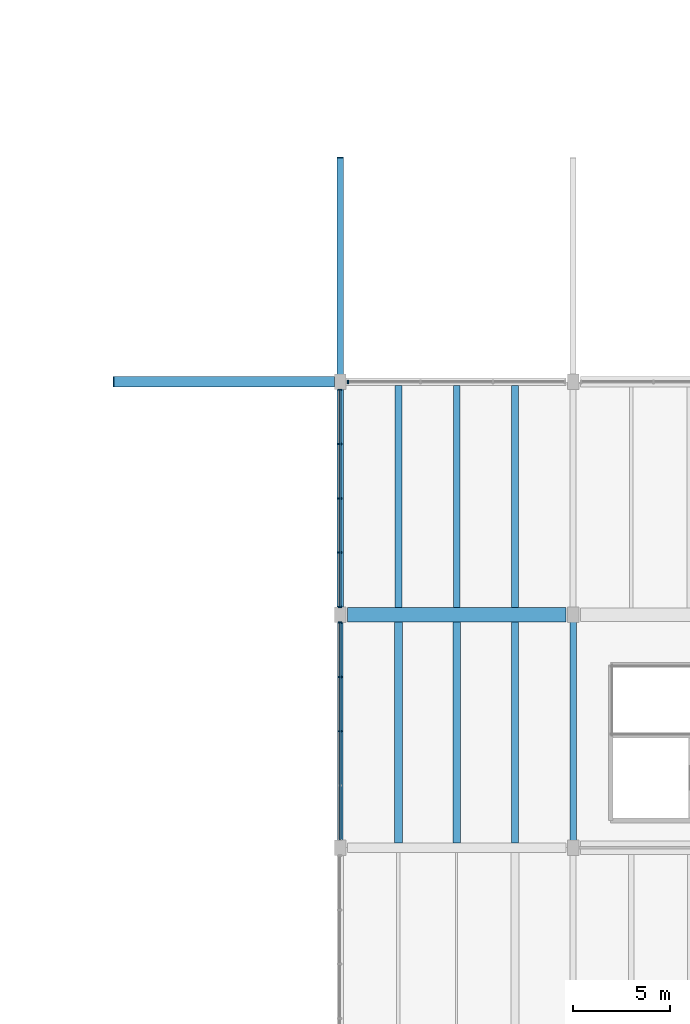
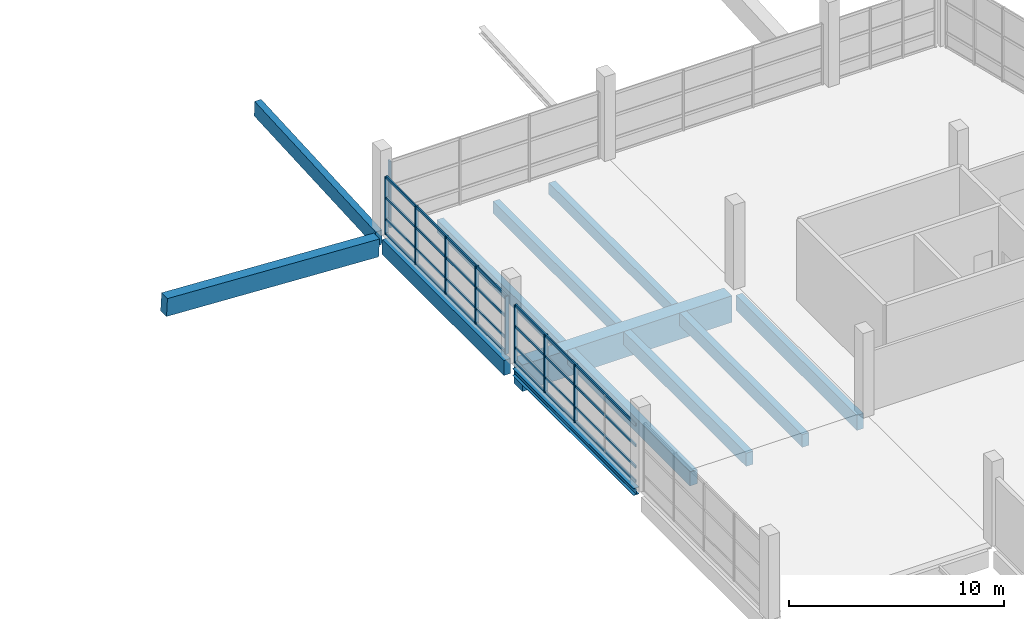
# One storey, part 23 of 49: 17 members, 12 beams, 3 elements without a shape of their own.
"""IFC4 building model written with IfcOpenShell, lengths in metres."""

import ifcopenshell
import ifcopenshell.guid

model = None  # the IFC model being written
_history = None  # IfcOwnerHistory: only IFC2X3 demands one
_inside = {}  # id of a spatial element -> (the spatial element, [elements in it])
_under = {}  # id of a project, library or spatial element -> (it, [spatial elements below it])
_declared = {}  # id of a project -> (the project, [libraries it declares])
_typed = {}  # id of a type object -> (the type object, [elements of that type])
_made_of = {}  # id of a material, layer set ... -> (it, [elements and type objects made of it])


def new_model(schema):
    """Start an empty IFC model of exactly this schema.

    Asked for "IFC4X3", IfcOpenShell would pick the latest addendum, in which some entities
    have other attributes; the version numbers below select the first issue.
    IFC2X3 requires an IfcOwnerHistory on every rooted entity: one is made here for all.
    """
    global model, _history
    if schema == "IFC4X3":
        model = ifcopenshell.file(schema_version=(4, 3, 0, 0))
    else:
        model = ifcopenshell.file(schema=schema)
    _inside.clear()
    _under.clear()
    _declared.clear()
    _typed.clear()
    _made_of.clear()
    _history = None
    if model.schema == "IFC2X3":
        org = make("IfcOrganization", Name="unknown")
        user = make(
            "IfcPersonAndOrganization",
            ThePerson=make("IfcPerson", FamilyName="unknown"),
            TheOrganization=org,
        )
        app = make(
            "IfcApplication",
            ApplicationDeveloper=org,
            Version="unknown",
            ApplicationFullName="unknown",
            ApplicationIdentifier="unknown",
        )
        _history = make(
            "IfcOwnerHistory",
            OwningUser=user,
            OwningApplication=app,
            ChangeAction="ADDED",
            CreationDate=0,
        )
    return model


def make(cls, **values):
    """One entity of the class cls with the attributes given. An attribute that is None is left unset."""
    return model.create_entity(
        cls, **{name: value for name, value in values.items() if value is not None}
    )


def rooted(cls, **values):
    """An entity with a GlobalId (a new one), such as an element, a storey or a relation."""
    return make(cls, GlobalId=ifcopenshell.guid.new(), OwnerHistory=_history, **values)


def si_unit(unit_type, name, prefix=None):
    """IfcSIUnit, for example si_unit("LENGTHUNIT", "METRE", prefix="MILLI")."""
    return make("IfcSIUnit", UnitType=unit_type, Prefix=prefix, Name=name)


def assignment(units):
    """IfcUnitAssignment: the units of a project."""
    return None if units is None else make("IfcUnitAssignment", Units=units)


def point(xyz):
    """IfcCartesianPoint."""
    return None if xyz is None else make("IfcCartesianPoint", Coordinates=xyz)


def direction(xyz):
    """IfcDirection."""
    return None if xyz is None else make("IfcDirection", DirectionRatios=xyz)


def frame(location, z_axis=None, x_axis=None):
    """IfcAxis2Placement3D, a coordinate frame: its origin and axes. An axis left out is left unset."""
    return make(
        "IfcAxis2Placement3D",
        Location=point(location),
        Axis=direction(z_axis),
        RefDirection=direction(x_axis),
    )


def frame_2d(location, x_axis=None):
    """IfcAxis2Placement2D, a coordinate frame in the plane: its origin and x axis."""
    return make(
        "IfcAxis2Placement2D", Location=point(location), RefDirection=direction(x_axis)
    )


def origin():
    """The frame at (0, 0, 0) with its axes left unset."""
    return frame((0.0, 0.0, 0.0))


def origin_2d():
    """The frame at (0, 0) in the plane with its x axis left unset."""
    return frame_2d((0.0, 0.0))


def place(relative_to, where):
    """IfcLocalPlacement: puts the frame where relative to a parent placement (None: the world)."""
    return make(
        "IfcLocalPlacement", PlacementRelTo=relative_to, RelativePlacement=where
    )


def context(
    kind, dimensions, precision=None, world=None, true_north=None, identifier=None
):
    """IfcGeometricRepresentationContext, for example the 3D "Model" context."""
    return make(
        "IfcGeometricRepresentationContext",
        ContextIdentifier=identifier,
        ContextType=kind,
        CoordinateSpaceDimension=dimensions,
        Precision=precision,
        WorldCoordinateSystem=world,
        TrueNorth=true_north,
    )


def subcontext(parent, identifier, kind, view, scale=None):
    """IfcGeometricRepresentationSubContext, for example "Body" below "Model"."""
    return make(
        "IfcGeometricRepresentationSubContext",
        ContextIdentifier=identifier,
        ContextType=kind,
        ParentContext=parent,
        TargetScale=scale,
        TargetView=view,
    )


def project(units=None, contexts=None):
    """IfcProject with its units and contexts."""
    return rooted(
        "IfcProject",
        Name="project",
        RepresentationContexts=contexts,
        UnitsInContext=assignment(units),
    )


def spatial(cls, under=None, at=None, **own):
    """A site, building, storey or space (cls), placed at a placement, below another one or the project."""
    s = rooted(cls, ObjectPlacement=at, **own)
    if under is not None:
        _under.setdefault(under.id(), (under, []))[1].append(s)
    return s


def profile(cls, at=None, kind="AREA", **sizes):
    """A parametric profile (cls). Its sizes go by their IFC names, for example OverallWidth=200.0."""
    return make(cls, ProfileType=kind, Position=at, **sizes)


def rectangle(**sizes):
    """IfcRectangleProfileDef."""
    return profile("IfcRectangleProfileDef", **sizes)


def i_section(**sizes):
    """IfcIShapeProfileDef."""
    return profile("IfcIShapeProfileDef", **sizes)


def extrude(swept, where, along, depth):
    """IfcExtrudedAreaSolid: the profile swept, set in the frame where, extruded along a direction by depth."""
    return make(
        "IfcExtrudedAreaSolid",
        SweptArea=swept,
        Position=where,
        ExtrudedDirection=direction(along),
        Depth=depth,
    )


def shape(context_of_items, identifier, shape_type, items):
    """IfcShapeRepresentation: the items that make up one representation, for example the "Body"."""
    return make(
        "IfcShapeRepresentation",
        ContextOfItems=context_of_items,
        RepresentationIdentifier=identifier,
        RepresentationType=shape_type,
        Items=items,
    )


def material(Name=None, Category=None):
    """IfcMaterial."""
    return make("IfcMaterial", Name=Name, Category=Category)


def material_profile(
    of_material, cross_section, Name=None, Category=None, Priority=None
):
    """IfcMaterialProfile: a cross section and its material."""
    return make(
        "IfcMaterialProfile",
        Name=Name,
        Material=of_material,
        Profile=cross_section,
        Priority=Priority,
        Category=Category,
    )


def profile_set(profiles, Name=None, composite=None):
    """IfcMaterialProfileSet."""
    return make(
        "IfcMaterialProfileSet",
        Name=Name,
        MaterialProfiles=profiles,
        CompositeProfile=composite,
    )


def made_of(thing, what):
    """Note that an element or type object is made of a material, layer set ...; save() writes the relation."""
    if what is not None:
        _made_of.setdefault(what.id(), (what, []))[1].append(thing)
    return thing


def type_object(cls, material=None, **own):
    """A type object (cls), such as IfcWallType, which elements share."""
    return made_of(rooted(cls, **own), material)


def element(
    cls,
    number,
    at=None,
    inside=None,
    cuts=None,
    type_object=None,
    material=None,
    context=None,
    identifier="Body",
    shape_type=None,
    held_by="IfcProductDefinitionShape",
    body=None,
    shapes=None,
    **own,
):
    """One element of the class cls, such as IfcWall. Its Tag is "e" and its number.

    at: its placement. inside: the storey or other place that contains it. cuts: it is an
    opening in that element (IfcRelVoidsElement). A single representation is given by context,
    identifier, shape_type and body (its items); several are given by shapes. held_by: the class
    of the entity that holds the representations. save() writes the other relations.
    """
    e = rooted(cls, Tag="e%d" % number, ObjectPlacement=at, **own)
    if body is not None:
        shapes = [shape(context, identifier, shape_type, body)]
    if shapes is not None:
        e.Representation = make(held_by, Representations=shapes)
    if inside is not None:
        _inside.setdefault(inside.id(), (inside, []))[1].append(e)
    if cuts is not None:
        rooted(
            "IfcRelVoidsElement", RelatingBuildingElement=cuts, RelatedOpeningElement=e
        )
    if type_object is not None:
        _typed.setdefault(type_object.id(), (type_object, []))[1].append(e)
    return made_of(e, material)


def aggregate(whole, parts):
    """IfcRelAggregates: a whole, such as a stair, and the parts it consists of."""
    return rooted("IfcRelAggregates", RelatingObject=whole, RelatedObjects=parts)


def save(model, path):
    """Write the relations noted so far, then the file.

    IfcRelAggregates (storeys below a building ...), IfcRelContainedInSpatialStructure (elements
    in a storey), IfcRelDefinesByType, IfcRelAssociatesMaterial and IfcRelDeclares: one each for
    every whole, place, type object, material and project.
    """
    for whole, parts in _under.values():
        aggregate(whole, parts)
    for where, things in _inside.values():
        rooted(
            "IfcRelContainedInSpatialStructure",
            RelatedElements=things,
            RelatingStructure=where,
        )
    for kind, things in _typed.values():
        rooted("IfcRelDefinesByType", RelatedObjects=things, RelatingType=kind)
    for what, things in _made_of.values():
        rooted("IfcRelAssociatesMaterial", RelatedObjects=things, RelatingMaterial=what)
    for by, libraries in _declared.values():
        rooted("IfcRelDeclares", RelatingContext=by, RelatedDefinitions=libraries)
    model.write(path)


model = new_model("IFC4")

# Units and contexts
model_context = context("Model", 3, precision=1e-05, world=origin(), true_north=direction((0.0, 1.0)))
body_context = subcontext(model_context, "Body", "Model", "MODEL_VIEW")
ifc_project = project(units=[si_unit("LENGTHUNIT", "METRE"), si_unit("AREAUNIT", "SQUARE_METRE"), si_unit("VOLUMEUNIT", "CUBIC_METRE"), si_unit("PLANEANGLEUNIT", "RADIAN"), si_unit("MASSUNIT", "GRAM", prefix="KILO")], contexts=[model_context])

# Site, building, storey
site_placement = place(None, origin())
site = spatial("IfcSite", under=ifc_project, at=site_placement, CompositionType="ELEMENT")
building_placement = place(site_placement, origin())
building = spatial("IfcBuilding", under=site, at=building_placement, Name="Kamomehara Wholesale Market", CompositionType="ELEMENT")
storey_placement = place(building_placement, frame((0.0, 0.0, 11.39990234375)))
storey = spatial("IfcBuildingStorey", under=building, at=storey_placement, Name="L02", CompositionType="ELEMENT", Elevation=11.39990234375)

# Beams
ifc_material_1 = material(Name="Precast concrete Fc45 (C40/50)", Category="concrete")
ifc_material_profile_1 = material_profile(ifc_material_1, rectangle(XDim=0.75, YDim=1.5, at=origin_2d()), Name="PC-GRD-750x1500")
ifc_profile_set_1 = profile_set([ifc_material_profile_1], Name="Precast concrete Fc45 (C40/50)")
beam_type_1 = type_object("IfcBeamType", Name="BM-PG1500", PredefinedType="T_BEAM", material=ifc_profile_set_1)
beam_1_placement = place(storey_placement, frame((156.375, 84.0, -1.06201171875), z_axis=(1.0, 0.0, 0.0), x_axis=(0.0, 1.0, 0.0)))
element("IfcBeam", 1, at=beam_1_placement, inside=storey, type_object=beam_type_1, Name="Beam PG-01 L02", PredefinedType="T_BEAM", context=body_context, shape_type="SweptSolid", body=[
    extrude(rectangle(XDim=0.75, YDim=1.5, at=origin_2d()), origin(), (0.0, 0.0, 1.0), 11.25),
])
ifc_material_2 = material(Name="Precast concrete Fc45 (C40/50)", Category="concrete")
ifc_material_profile_2 = material_profile(ifc_material_2, rectangle(XDim=0.35009765625, YDim=0.64990234375, at=origin_2d()), Name="PC-JST-350x650")
ifc_profile_set_2 = profile_set([ifc_material_profile_2], Name="Precast concrete Fc45 (C40/50)")
beam_type_2 = type_object("IfcBeamType", Name="BM-PJ650", PredefinedType="JOIST", material=ifc_profile_set_2)
beam_2_placement = place(storey_placement, frame((165.0, 84.375, -0.636962890625), z_axis=(0.0, 1.0, 0.0), x_axis=(-1.0, 0.0, 0.0)))
element("IfcBeam", 2, at=beam_2_placement, inside=storey, type_object=beam_type_2, Name="Beam PJ-04 L02", PredefinedType="JOIST", context=body_context, shape_type="SweptSolid", body=[
    extrude(rectangle(XDim=0.35009765625, YDim=0.64990234375, at=origin_2d()), origin(), (0.0, 0.0, 1.0), 11.425048828125),
])
ifc_material_3 = material(Name="Precast concrete Fc45 (C40/50)", Category="concrete")
ifc_material_profile_3 = material_profile(ifc_material_3, rectangle(XDim=0.340087890625, YDim=0.679931640625, at=origin_2d()), Name="PC-JST-340x680")
ifc_profile_set_3 = profile_set([ifc_material_profile_3], Name="Precast concrete Fc45 (C40/50)")
beam_type_3 = type_object("IfcBeamType", Name="BM-PJ680", PredefinedType="JOIST", material=ifc_profile_set_3)
beam_3_placement = place(storey_placement, frame((162.0, 84.375, -0.65185546875), z_axis=(0.0, 1.0, 0.0), x_axis=(-1.0, 0.0, 0.0)))
element("IfcBeam", 3, at=beam_3_placement, inside=storey, type_object=beam_type_3, Name="Beam PJ-09 L02", PredefinedType="JOIST", context=body_context, shape_type="SweptSolid", body=[
    extrude(rectangle(XDim=0.340087890625, YDim=0.679931640625, at=origin_2d()), origin(), (0.0, 0.0, 1.0), 11.425048828125),
])
ifc_material_4 = material(Name="Precast concrete Fc45 (C40/50)", Category="concrete")
ifc_material_profile_4 = material_profile(ifc_material_4, rectangle(XDim=0.35009765625, YDim=0.699951171875, at=origin_2d()), Name="PC-JST-350x700")
ifc_profile_set_4 = profile_set([ifc_material_profile_4], Name="Precast concrete Fc45 (C40/50)")
beam_type_4 = type_object("IfcBeamType", Name="BM-PJ700", PredefinedType="JOIST", material=ifc_profile_set_4)
beam_4_placement = place(storey_placement, frame((159.0, 84.375, -0.661865234375), z_axis=(0.0, 1.0, 0.0), x_axis=(-1.0, 0.0, 0.0)))
element("IfcBeam", 4, at=beam_4_placement, inside=storey, type_object=beam_type_4, Name="Beam PJ-03 L02", PredefinedType="JOIST", context=body_context, shape_type="SweptSolid", body=[
    extrude(rectangle(XDim=0.35009765625, YDim=0.699951171875, at=origin_2d()), origin(), (0.0, 0.0, 1.0), 11.425048828125),
])
ifc_material_5 = material(Name="Precast concrete Fc45 (C40/50)", Category="concrete")
ifc_material_profile_5 = material_profile(ifc_material_5, rectangle(XDim=0.360107421875, YDim=0.719970703125, at=origin_2d()), Name="PC-JST-360x720")
ifc_profile_set_5 = profile_set([ifc_material_profile_5], Name="Precast concrete Fc45 (C40/50)")
beam_type_5 = type_object("IfcBeamType", Name="BM-PJ720", PredefinedType="JOIST", material=ifc_profile_set_5)
beam_5_placement = place(storey_placement, frame((165.0, 72.25, -0.671875), z_axis=(0.0, 1.0, 0.0), x_axis=(-1.0, 0.0, 0.0)))
element("IfcBeam", 5, at=beam_5_placement, inside=storey, type_object=beam_type_5, Name="Beam PJ-08 L02", PredefinedType="JOIST", context=body_context, shape_type="SweptSolid", body=[
    extrude(rectangle(XDim=0.360107421875, YDim=0.719970703125, at=origin_2d()), origin(), (0.0, 0.0, 1.0), 11.375),
])
ifc_material_6 = material(Name="Precast concrete Fc45 (C40/50)", Category="concrete")
ifc_material_profile_6 = material_profile(ifc_material_6, rectangle(XDim=0.3798828125, YDim=0.75, at=origin_2d()), Name="PC-JST-380x750")
ifc_profile_set_6 = profile_set([ifc_material_profile_6], Name="Precast concrete Fc45 (C40/50)")
beam_type_6 = type_object("IfcBeamType", Name="BM-PJ750", PredefinedType="JOIST", material=ifc_profile_set_6)
beam_6_placement = place(storey_placement, frame((162.0, 72.25, -0.68701171875), z_axis=(0.0, 1.0, 0.0), x_axis=(-1.0, 0.0, 0.0)))
element("IfcBeam", 6, at=beam_6_placement, inside=storey, type_object=beam_type_6, Name="Beam PJ-02 L02", PredefinedType="JOIST", context=body_context, shape_type="SweptSolid", body=[
    extrude(rectangle(XDim=0.3798828125, YDim=0.75, at=origin_2d()), origin(), (0.0, 0.0, 1.0), 11.375),
])
ifc_material_7 = material(Name="Precast concrete Fc45 (C40/50)", Category="concrete")
ifc_material_profile_7 = material_profile(ifc_material_7, rectangle(XDim=0.39990234375, YDim=0.800048828125, at=origin_2d()), Name="PC-JST-400x800")
ifc_profile_set_7 = profile_set([ifc_material_profile_7], Name="Precast concrete Fc45 (C40/50)")
beam_type_7 = type_object("IfcBeamType", Name="BM-PJ800", PredefinedType="JOIST", material=ifc_profile_set_7)
beam_7_placement = place(storey_placement, frame((159.0, 72.25, -0.7119140625), z_axis=(0.0, 1.0, 0.0), x_axis=(-1.0, 0.0, 0.0)))
element("IfcBeam", 7, at=beam_7_placement, inside=storey, type_object=beam_type_7, Name="Beam PJ-01 L02", PredefinedType="JOIST", context=body_context, shape_type="SweptSolid", body=[
    extrude(rectangle(XDim=0.39990234375, YDim=0.800048828125, at=origin_2d()), origin(), (0.0, 0.0, 1.0), 11.375),
])
ifc_material_8 = material(Name="Concrete Fc36 (C35/45)", Category="concrete")
ifc_material_profile_8 = material_profile(ifc_material_8, rectangle(XDim=0.550048828125, YDim=1.0, at=origin_2d()), Name="RC-SEB-550x1000")
ifc_profile_set_8 = profile_set([ifc_material_profile_8], Name="Concrete Fc36 (C35/45)")
beam_type_8 = type_object("IfcBeamType", Name="BM-SEB1000-EXT", PredefinedType="SPANDREL", material=ifc_profile_set_8)
beam_8_placement = place(storey_placement, frame((144.31005859375, 96.0, -0.158935546875), z_axis=(0.998613624204, 0.0, -0.052638669756), x_axis=(0.0, 1.0, 0.0)))
element("IfcBeam", 8, at=beam_8_placement, inside=storey, type_object=beam_type_8, Name="Beam SEB-03E L02", PredefinedType="SPANDREL", context=body_context, shape_type="SweptSolid", body=[
    extrude(rectangle(XDim=0.550048828125, YDim=1.0, at=origin_2d()), origin(), (0.0, 0.0, 1.0), 11.395751953125),
])
ifc_material_9 = material(Name="Precast concrete Fc45 (C40/50)", Category="concrete")
ifc_material_profile_9 = material_profile(ifc_material_9, rectangle(XDim=0.35009765625, YDim=0.85009765625, at=origin_2d()), Name="PC-SPN-350x850")
ifc_profile_set_9 = profile_set([ifc_material_profile_9], Name="Precast concrete Fc45 (C40/50)")
beam_type_9 = type_object("IfcBeamType", Name="BM-SPN850-EXT", PredefinedType="SPANDREL", material=ifc_profile_set_9)
beam_9_placement = place(storey_placement, frame((168.0, 72.375, -0.77685546875), z_axis=(0.0, 1.0, 0.0), x_axis=(-1.0, 0.0, 0.0)))
element("IfcBeam", 9, at=beam_9_placement, inside=storey, type_object=beam_type_9, Name="Beam SPN-02E L02", PredefinedType="SPANDREL", context=body_context, shape_type="SweptSolid", body=[
    extrude(rectangle(XDim=0.35009765625, YDim=0.85009765625, at=origin_2d()), origin(), (0.0, 0.0, 1.0), 11.25),
])
beam_10_placement = place(storey_placement, frame((156.0, 84.375, -0.73681640625), z_axis=(0.0, 1.0, 0.0), x_axis=(-1.0, 0.0, 0.0)))
element("IfcBeam", 10, at=beam_10_placement, inside=storey, type_object=beam_type_9, Name="Beam SPN-02E L02", PredefinedType="SPANDREL", context=body_context, shape_type="SweptSolid", body=[
    extrude(rectangle(XDim=0.35009765625, YDim=0.85009765625, at=origin_2d()), origin(), (0.0, 0.0, 1.0), 11.31494140625),
])
beam_11_placement = place(storey_placement, frame((156.0, 96.31005859375, -0.683837890625), z_axis=(0.0, 0.998578973851, 0.053291959833), x_axis=(-1.0, 0.0, 0.0)))
element("IfcBeam", 11, at=beam_11_placement, inside=storey, type_object=beam_type_9, Name="Beam SPN-02E L02", PredefinedType="SPANDREL", context=body_context, shape_type="SweptSolid", body=[
    extrude(rectangle(XDim=0.35009765625, YDim=0.85009765625, at=origin_2d()), origin(), (0.0, 0.0, 1.0), 11.256103515625),
])
ifc_material_10 = material(Name="Steel SN490B", Category="steel")
ifc_material_profile_10 = material_profile(ifc_material_10, i_section(OverallWidth=0.300048828125, OverallDepth=0.389892578125, WebThickness=0.010009765625, FlangeThickness=0.01611328125, FilletRadius=0.01806640625, at=origin_2d()), Name="H-390x300x10x16")
ifc_profile_set_10 = profile_set([ifc_material_profile_10], Name="Steel SN490B")
beam_type_10 = type_object("IfcBeamType", Name="BM-ST-H390-EXT", PredefinedType="SPANDREL", material=ifc_profile_set_10)
beam_12_placement = place(storey_placement, frame((156.0, 72.375, -0.5068359375), z_axis=(0.0, 1.0, 0.0), x_axis=(-1.0, 0.0, 0.0)))
element("IfcBeam", 12, at=beam_12_placement, inside=storey, type_object=beam_type_10, Name="Beam SJ-03E L02", PredefinedType="SPANDREL", context=body_context, shape_type="SweptSolid", body=[
    extrude(i_section(OverallWidth=0.300048828125, OverallDepth=0.389892578125, WebThickness=0.010009765625, FlangeThickness=0.01611328125, FilletRadius=0.01806640625, at=origin_2d()), origin(), (0.0, 0.0, 1.0), 11.25),
])

# Curtain wall, member
ifc_material_11 = material(Name="Anodised aluminium 6063-T5", Category="aluminium")
curtain_wall_type_1 = type_object("IfcCurtainWallType", Name="CW-UN-08", PredefinedType="NOTDEFINED", material=ifc_material_11)
curtain_wall_1_placement = place(storey_placement, origin())
curtain_wall_1 = element("IfcCurtainWall", 13, at=curtain_wall_1_placement, inside=storey, type_object=curtain_wall_type_1, Name="Unitised curtain wall CW-205", PredefinedType="NOTDEFINED")
ifc_material_12 = material(Name="Anodised aluminium 6063-T5", Category="aluminium")
ifc_material_profile_11 = material_profile(ifc_material_12, rectangle(XDim=0.074951171875, YDim=0.179931640625, at=origin_2d()), Name="ALU-MUL-75x180")
ifc_profile_set_11 = profile_set([ifc_material_profile_11], Name="Anodised aluminium 6063-T5")
member_type_1 = type_object("IfcMemberType", Name="CW-MUL-180", PredefinedType="MULLION", material=ifc_profile_set_11)
member_1_placement = place(storey_placement, frame((156.409912109375, 96.0, 0.0), z_axis=(0.0, 0.0, 1.0), x_axis=(1.0, 0.0, 0.0)))
member_1 = element("IfcMember", 14, at=member_1_placement, type_object=member_type_1, Name="Mullion CW-205.0", PredefinedType="MULLION", context=body_context, shape_type="SweptSolid", body=[
    extrude(rectangle(XDim=0.074951171875, YDim=0.179931640625, at=origin_2d()), origin(), (0.0, 0.0, 1.0), 3.780029296875),
])
aggregate(curtain_wall_1, [member_1])

# Curtain wall, members
ifc_material_13 = material(Name="Anodised aluminium 6063-T5", Category="aluminium")
curtain_wall_type_2 = type_object("IfcCurtainWallType", Name="CW-UN-01", PredefinedType="NOTDEFINED", material=ifc_material_13)
curtain_wall_2_placement = place(storey_placement, origin())
curtain_wall_2 = element("IfcCurtainWall", 15, at=curtain_wall_2_placement, inside=storey, type_object=curtain_wall_type_2, Name="Unitised curtain wall CW-209", PredefinedType="NOTDEFINED")
member_2_placement = place(storey_placement, frame((156.0, 78.0, 0.0), z_axis=(0.0, 0.0, 1.0), x_axis=(0.0, 1.0, 0.0)))
member_2 = element("IfcMember", 16, at=member_2_placement, type_object=member_type_1, Name="Mullion CW-209.2", PredefinedType="MULLION", context=body_context, shape_type="SweptSolid", body=[
    extrude(rectangle(XDim=0.074951171875, YDim=0.179931640625, at=origin_2d()), origin(), (0.0, 0.0, 1.0), 3.280029296875),
])
member_3_placement = place(storey_placement, frame((156.0, 80.794921875, 0.0), z_axis=(0.0, 0.0, 1.0), x_axis=(0.0, 1.0, 0.0)))
member_3 = element("IfcMember", 17, at=member_3_placement, type_object=member_type_1, Name="Mullion CW-209.3", PredefinedType="MULLION", context=body_context, shape_type="SweptSolid", body=[
    extrude(rectangle(XDim=0.074951171875, YDim=0.179931640625, at=origin_2d()), origin(), (0.0, 0.0, 1.0), 3.280029296875),
])
member_4_placement = place(storey_placement, frame((156.0, 83.590087890625, 0.0), z_axis=(0.0, 0.0, 1.0), x_axis=(0.0, 1.0, 0.0)))
member_4 = element("IfcMember", 18, at=member_4_placement, type_object=member_type_1, Name="Mullion CW-209.4", PredefinedType="MULLION", context=body_context, shape_type="SweptSolid", body=[
    extrude(rectangle(XDim=0.074951171875, YDim=0.179931640625, at=origin_2d()), origin(), (0.0, 0.0, 1.0), 3.280029296875),
])

curtain_wall_3_placement = place(storey_placement, origin())
curtain_wall_3 = element("IfcCurtainWall", 19, at=curtain_wall_3_placement, inside=storey, type_object=curtain_wall_type_2, Name="Unitised curtain wall CW-210", PredefinedType="NOTDEFINED")
member_5_placement = place(storey_placement, frame((156.0, 84.409912109375, 0.0), z_axis=(0.0, 0.0, 1.0), x_axis=(0.0, 1.0, 0.0)))
member_5 = element("IfcMember", 20, at=member_5_placement, type_object=member_type_1, Name="Mullion CW-210.0", PredefinedType="MULLION", context=body_context, shape_type="SweptSolid", body=[
    extrude(rectangle(XDim=0.074951171875, YDim=0.179931640625, at=origin_2d()), origin(), (0.0, 0.0, 1.0), 3.280029296875),
])
member_6_placement = place(storey_placement, frame((156.0, 87.205078125, 0.0), z_axis=(0.0, 0.0, 1.0), x_axis=(0.0, 1.0, 0.0)))
member_6 = element("IfcMember", 21, at=member_6_placement, type_object=member_type_1, Name="Mullion CW-210.1", PredefinedType="MULLION", context=body_context, shape_type="SweptSolid", body=[
    extrude(rectangle(XDim=0.074951171875, YDim=0.179931640625, at=origin_2d()), origin(), (0.0, 0.0, 1.0), 3.280029296875),
])
member_7_placement = place(storey_placement, frame((156.0, 90.0, 0.0), z_axis=(0.0, 0.0, 1.0), x_axis=(0.0, 1.0, 0.0)))
member_7 = element("IfcMember", 22, at=member_7_placement, type_object=member_type_1, Name="Mullion CW-210.2", PredefinedType="MULLION", context=body_context, shape_type="SweptSolid", body=[
    extrude(rectangle(XDim=0.074951171875, YDim=0.179931640625, at=origin_2d()), origin(), (0.0, 0.0, 1.0), 3.280029296875),
])
member_8_placement = place(storey_placement, frame((156.0, 92.794921875, 0.0), z_axis=(0.0, 0.0, 1.0), x_axis=(0.0, 1.0, 0.0)))
member_8 = element("IfcMember", 23, at=member_8_placement, type_object=member_type_1, Name="Mullion CW-210.3", PredefinedType="MULLION", context=body_context, shape_type="SweptSolid", body=[
    extrude(rectangle(XDim=0.074951171875, YDim=0.179931640625, at=origin_2d()), origin(), (0.0, 0.0, 1.0), 3.280029296875),
])
member_9_placement = place(storey_placement, frame((156.0, 95.590087890625, 0.0), z_axis=(0.0, 0.0, 1.0), x_axis=(0.0, 1.0, 0.0)))
member_9 = element("IfcMember", 24, at=member_9_placement, type_object=member_type_1, Name="Mullion CW-210.4", PredefinedType="MULLION", context=body_context, shape_type="SweptSolid", body=[
    extrude(rectangle(XDim=0.074951171875, YDim=0.179931640625, at=origin_2d()), origin(), (0.0, 0.0, 1.0), 3.280029296875),
])

# Member
ifc_material_14 = material(Name="Anodised aluminium 6063-T5", Category="aluminium")
ifc_material_profile_12 = material_profile(ifc_material_14, rectangle(XDim=0.074951171875, YDim=0.14990234375, at=origin_2d()), Name="ALU-TRN-75x150")
ifc_profile_set_12 = profile_set([ifc_material_profile_12], Name="Anodised aluminium 6063-T5")
member_type_2 = type_object("IfcMemberType", Name="CW-TRN-150", PredefinedType="USERDEFINED", material=ifc_profile_set_12)
member_10_placement = place(storey_placement, frame((156.0, 72.409912109375, 0.0400390625), z_axis=(0.0, 1.0, 0.0), x_axis=(-1.0, 0.0, 0.0)))
member_10 = element("IfcMember", 25, at=member_10_placement, type_object=member_type_2, Name="Transom CW-209.0", ObjectType="TRANSOM", PredefinedType="USERDEFINED", context=body_context, shape_type="SweptSolid", body=[
    extrude(rectangle(XDim=0.074951171875, YDim=0.14990234375, at=origin_2d()), origin(), (0.0, 0.0, 1.0), 11.18017578125),
])

member_11_placement = place(storey_placement, frame((156.0, 72.409912109375, 0.85009765625), z_axis=(0.0, 1.0, 0.0), x_axis=(-1.0, 0.0, 0.0)))
member_11 = element("IfcMember", 26, at=member_11_placement, type_object=member_type_2, Name="Transom CW-209.1", ObjectType="TRANSOM", PredefinedType="USERDEFINED", context=body_context, shape_type="SweptSolid", body=[
    extrude(rectangle(XDim=0.074951171875, YDim=0.14990234375, at=origin_2d()), origin(), (0.0, 0.0, 1.0), 11.18017578125),
])

member_12_placement = place(storey_placement, frame((156.0, 72.409912109375, 2.065185546875), z_axis=(0.0, 1.0, 0.0), x_axis=(-1.0, 0.0, 0.0)))
member_12 = element("IfcMember", 27, at=member_12_placement, type_object=member_type_2, Name="Transom CW-209.2", ObjectType="TRANSOM", PredefinedType="USERDEFINED", context=body_context, shape_type="SweptSolid", body=[
    extrude(rectangle(XDim=0.074951171875, YDim=0.14990234375, at=origin_2d()), origin(), (0.0, 0.0, 1.0), 11.18017578125),
])

member_13_placement = place(storey_placement, frame((156.0, 72.409912109375, 3.239990234375), z_axis=(0.0, 1.0, 0.0), x_axis=(-1.0, 0.0, 0.0)))
member_13 = element("IfcMember", 28, at=member_13_placement, type_object=member_type_2, Name="Transom CW-209.3", ObjectType="TRANSOM", PredefinedType="USERDEFINED", context=body_context, shape_type="SweptSolid", body=[
    extrude(rectangle(XDim=0.074951171875, YDim=0.14990234375, at=origin_2d()), origin(), (0.0, 0.0, 1.0), 11.18017578125),
])

aggregate(curtain_wall_2, [member_2, member_3, member_4, member_10, member_11, member_12, member_13])

member_14_placement = place(storey_placement, frame((156.0, 84.409912109375, 0.0400390625), z_axis=(0.0, 1.0, 0.0), x_axis=(-1.0, 0.0, 0.0)))
member_14 = element("IfcMember", 29, at=member_14_placement, type_object=member_type_2, Name="Transom CW-210.0", ObjectType="TRANSOM", PredefinedType="USERDEFINED", context=body_context, shape_type="SweptSolid", body=[
    extrude(rectangle(XDim=0.074951171875, YDim=0.14990234375, at=origin_2d()), origin(), (0.0, 0.0, 1.0), 11.18017578125),
])

member_15_placement = place(storey_placement, frame((156.0, 84.409912109375, 0.85009765625), z_axis=(0.0, 1.0, 0.0), x_axis=(-1.0, 0.0, 0.0)))
member_15 = element("IfcMember", 30, at=member_15_placement, type_object=member_type_2, Name="Transom CW-210.1", ObjectType="TRANSOM", PredefinedType="USERDEFINED", context=body_context, shape_type="SweptSolid", body=[
    extrude(rectangle(XDim=0.074951171875, YDim=0.14990234375, at=origin_2d()), origin(), (0.0, 0.0, 1.0), 11.18017578125),
])

member_16_placement = place(storey_placement, frame((156.0, 84.409912109375, 2.065185546875), z_axis=(0.0, 1.0, 0.0), x_axis=(-1.0, 0.0, 0.0)))
member_16 = element("IfcMember", 31, at=member_16_placement, type_object=member_type_2, Name="Transom CW-210.2", ObjectType="TRANSOM", PredefinedType="USERDEFINED", context=body_context, shape_type="SweptSolid", body=[
    extrude(rectangle(XDim=0.074951171875, YDim=0.14990234375, at=origin_2d()), origin(), (0.0, 0.0, 1.0), 11.18017578125),
])

member_17_placement = place(storey_placement, frame((156.0, 84.409912109375, 3.239990234375), z_axis=(0.0, 1.0, 0.0), x_axis=(-1.0, 0.0, 0.0)))
member_17 = element("IfcMember", 32, at=member_17_placement, type_object=member_type_2, Name="Transom CW-210.3", ObjectType="TRANSOM", PredefinedType="USERDEFINED", context=body_context, shape_type="SweptSolid", body=[
    extrude(rectangle(XDim=0.074951171875, YDim=0.14990234375, at=origin_2d()), origin(), (0.0, 0.0, 1.0), 11.18017578125),
])

aggregate(curtain_wall_3, [member_5, member_6, member_7, member_8, member_9, member_14, member_15, member_16, member_17])

save(model, "model.ifc")
